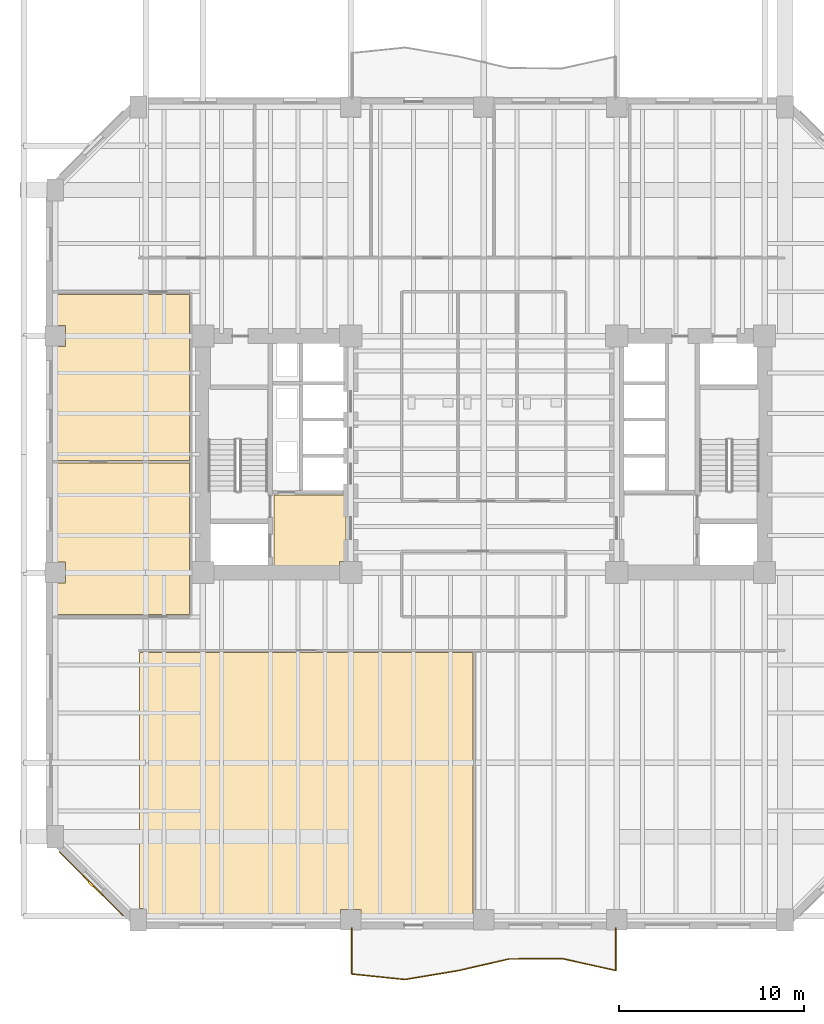
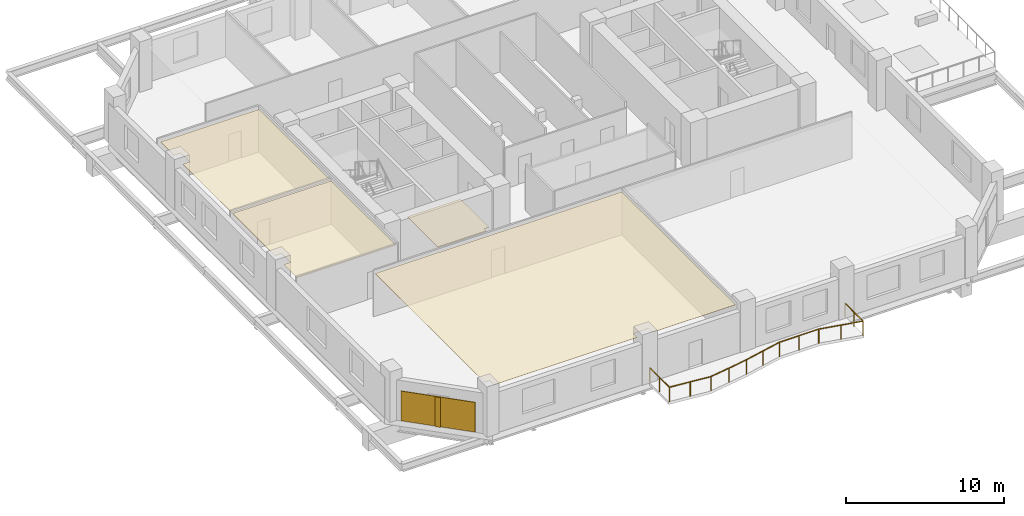
# One storey, part 7 of 11: 5 coverings, 1 railing, 1 shading device.
"""IFC4 building model written with IfcOpenShell, lengths in metres."""

from ifc_helpers import new_model, si_unit, direction, frame, origin, origin_2d, place, context, subcontext, project, spatial, polyline, rectangle, circle, outline, extrude, material, layer, layer_set, type_object, element, save


model = new_model("IFC4")

# Units and contexts
model_context = context("Model", 3, precision=1e-05, world=origin(), true_north=direction((0.0, 1.0)))
body_context = subcontext(model_context, "Body", "Model", "MODEL_VIEW")
ifc_project = project(units=[si_unit("LENGTHUNIT", "METRE"), si_unit("AREAUNIT", "SQUARE_METRE"), si_unit("VOLUMEUNIT", "CUBIC_METRE"), si_unit("PLANEANGLEUNIT", "RADIAN"), si_unit("MASSUNIT", "GRAM", prefix="KILO")], contexts=[model_context])

# Site, building, storey
site_placement = place(None, origin())
site = spatial("IfcSite", under=ifc_project, at=site_placement, CompositionType="ELEMENT")
building_placement = place(site_placement, origin())
building = spatial("IfcBuilding", under=site, at=building_placement, Name="Kranthara Brick Stack", CompositionType="ELEMENT")
storey_placement = place(building_placement, frame((0.0, 0.0, 24.300048828125)))
storey = spatial("IfcBuildingStorey", under=building, at=storey_placement, Name="L05", CompositionType="ELEMENT", Elevation=24.300048828125)

# Coverings
ifc_material_1 = material(Name="Perforated mineral-fibre acoustic ceiling tile", Category="other")
ifc_layer_1 = layer(ifc_material_1, 0.02490234375)
ifc_layer_set_1 = layer_set([ifc_layer_1], Name="Perforated mineral-fibre acoustic ceiling tile")
covering_type_1 = type_object("IfcCoveringType", Name="COV-CEIL-ACOUSTIC", PredefinedType="CEILING", material=ifc_layer_set_1)
covering_1_placement = place(storey_placement, frame((0.0, 0.0, 3.329833984375)))
element("IfcCovering", 1, at=covering_1_placement, inside=storey, type_object=covering_type_1, Name="L05 L05 Open Plan Workspace 1 Acoustic Ceiling", PredefinedType="CEILING", context=body_context, shape_type="SweptSolid", body=[
    extrude(outline(polyline([(27.419921875, 16.47998046875), (27.419921875, 2.070068359375), (21.360107421875, 2.070068359375), (21.360107421875, 2.56005859375), (20.239990234375, 2.56005859375), (20.239990234375, 2.070068359375), (9.760009765625, 2.070068359375), (9.760009765625, 2.610107421875), (9.3798828125, 2.610107421875), (9.3798828125, 16.47998046875), (27.419921875, 16.47998046875)])), origin(), (0.0, 0.0, 1.0), 0.025146484375),
])
covering_2_placement = place(storey_placement, frame((0.0, 0.0, 3.329833984375)))
element("IfcCovering", 2, at=covering_2_placement, inside=storey, type_object=covering_type_1, Name="L05 L05 West Executive Office 1 Acoustic Ceiling", PredefinedType="CEILING", context=body_context, shape_type="SweptSolid", body=[
    extrude(outline(polyline([(4.8701171875, 26.739990234375), (12.080078125, 26.739990234375), (12.080078125, 18.5400390625), (4.8701171875, 18.5400390625), (4.8701171875, 20.239990234375), (5.360107421875, 20.239990234375), (5.360107421875, 21.360107421875), (4.8701171875, 21.360107421875), (4.8701171875, 26.739990234375)])), origin(), (0.0, 0.0, 1.0), 0.025146484375),
])
covering_3_placement = place(storey_placement, frame((0.0, 0.0, 3.329833984375)))
element("IfcCovering", 3, at=covering_3_placement, inside=storey, type_object=covering_type_1, Name="L05 L05 West Executive Office 2 Acoustic Ceiling", PredefinedType="CEILING", context=body_context, shape_type="SweptSolid", body=[
    extrude(outline(polyline([(4.8701171875, 35.860107421875), (12.080078125, 35.860107421875), (12.080078125, 26.860107421875), (4.8701171875, 26.860107421875), (4.8701171875, 33.0400390625), (5.360107421875, 33.0400390625), (5.360107421875, 34.159912109375), (4.8701171875, 34.159912109375), (4.8701171875, 35.860107421875)])), origin(), (0.0, 0.0, 1.0), 0.025146484375),
])
ifc_material_2 = material(Name="Warm buff kiln-fired brick slip rainscreen", Category="masonry")
ifc_layer_2 = layer(ifc_material_2, 0.044921875)
ifc_layer_set_2 = layer_set([ifc_layer_2], Name="Warm buff kiln-fired brick slip rainscreen")
covering_type_2 = type_object("IfcCoveringType", Name="COV-CLAD-BRICK", PredefinedType="CLADDING", material=ifc_layer_set_2)
covering_4_placement = place(storey_placement, frame((6.756591796875, 3.95654296875, 0.0498046875), z_axis=(0.0, 0.0, 1.0), x_axis=(-0.707106781187, 0.707106781187, 0.0)))
element("IfcCovering", 4, at=covering_4_placement, inside=storey, type_object=covering_type_2, Name="L05 Chamfer Brick Rainscreen Cladding SW", PredefinedType="CLADDING", context=body_context, shape_type="SweptSolid", body=[
    extrude(rectangle(XDim=4.876953125, YDim=0.044921875, at=origin_2d()), origin(), (0.0, 0.0, 1.0), 2.300048828125),
])
ifc_material_3 = material(Name="Honed terrazzo and porcelain floor finish", Category="stone")
ifc_layer_3 = layer(ifc_material_3, 0.030029296875)
ifc_layer_set_3 = layer_set([ifc_layer_3], Name="Honed terrazzo and porcelain floor finish")
covering_type_3 = type_object("IfcCoveringType", Name="COV-FLOR-STONE", PredefinedType="FLOORING", material=ifc_layer_set_3)
covering_5_placement = place(storey_placement, origin())
element("IfcCovering", 5, at=covering_5_placement, inside=storey, type_object=covering_type_3, Name="L05 Lift Lobby Stone Flooring", PredefinedType="FLOORING", context=body_context, shape_type="SweptSolid", body=[
    extrude(outline(polyline([(16.64990234375, 21.14990234375), (16.64990234375, 25.0), (20.550048828125, 25.0), (20.550048828125, 21.409912109375), (20.18994140625, 21.409912109375), (20.18994140625, 21.14990234375), (16.64990234375, 21.14990234375)])), origin(), (0.0, 0.0, 1.0), 0.030029296875),
])

# Railing
ifc_material_4 = material(Name="Bronze anodised aluminium and laminated glass balustrade", Category="aluminium")
railing_type = type_object("IfcRailingType", Name="RL-BALC-1120", PredefinedType="BALUSTRADE", material=ifc_material_4)
railing_placement = place(storey_placement, frame((35.139892578125, 1.56005859375, 0.0)))
element("IfcRailing", 6, at=railing_placement, inside=storey, type_object=railing_type, Name="L05 South Rippling Balcony Balustrade", PredefinedType="BALUSTRADE", context=body_context, shape_type="SweptSolid", body=[
    extrude(circle(Radius=0.02392578125, at=origin_2d()), frame((0.0, 0.0, 1.09619140625), z_axis=(0.000106168382, -0.999999994364, 0.0), x_axis=(0.999999994364, 0.000106168382, 0.0)), (0.0, 0.0, 1.0), 2.299560546875),
    extrude(circle(Radius=0.02392578125, at=origin_2d()), frame((0.000244140625, -2.299560546875, 1.09619140625), z_axis=(-0.976231823115, 0.2167289264, 0.0), x_axis=(-0.2167289264, -0.976231823115, 0.0)), (0.0, 0.0, 1.0), 2.9501953125),
    extrude(circle(Radius=0.02392578125, at=origin_2d()), frame((-2.8798828125, -1.66015625, 1.09619140625), z_axis=(-0.99998618976, -0.00525550087, 0.0), x_axis=(0.00525550087, -0.99998618976, 0.0)), (0.0, 0.0, 1.0), 2.880126953125),
    extrude(circle(Radius=0.02392578125, at=origin_2d()), frame((-5.760009765625, -1.67529296875, 1.09619140625), z_axis=(-0.974896418621, -0.222658871279, 0.0), x_axis=(0.222658871279, -0.974896418621, 0.0)), (0.0, 0.0, 1.0), 2.836669921875),
    extrude(circle(Radius=0.02392578125, at=origin_2d()), frame((-8.525390625, -2.306884765625, 1.09619140625), z_axis=(-0.986266935249, -0.165159112481, 0.0), x_axis=(0.165159112481, -0.986266935249, 0.0)), (0.0, 0.0, 1.0), 2.91650390625),
    extrude(circle(Radius=0.02392578125, at=origin_2d()), frame((-11.40185546875, -2.78857421875, 1.09619140625), z_axis=(-0.994688815746, 0.102927935132, 0.0), x_axis=(-0.102927935132, -0.994688815746, 0.0)), (0.0, 0.0, 1.0), 2.893798828125),
    extrude(circle(Radius=0.02392578125, at=origin_2d()), frame((-14.2802734375, -2.49072265625, 1.09619140625), z_axis=(0.000196039988, 0.999999980784, 0.0), x_axis=(-0.999999980784, 0.000196039988, 0.0)), (0.0, 0.0, 1.0), 2.49072265625),
    extrude(circle(Radius=0.02099609375, at=origin_2d()), origin(), (0.0, 0.0, 1.0), 1.072021484375),
    extrude(circle(Radius=0.02099609375, at=origin_2d()), frame((0.0, -1.14990234375, 0.0)), (0.0, 0.0, 1.0), 1.072021484375),
    extrude(circle(Radius=0.02099609375, at=origin_2d()), frame((0.000244140625, -2.299560546875, 0.0)), (0.0, 0.0, 1.0), 1.072021484375),
    extrude(circle(Radius=0.02099609375, at=origin_2d()), frame((-1.43994140625, -1.97998046875, 0.0)), (0.0, 0.0, 1.0), 1.072021484375),
    extrude(circle(Radius=0.02099609375, at=origin_2d()), frame((-2.8798828125, -1.66015625, 0.0)), (0.0, 0.0, 1.0), 1.072021484375),
    extrude(circle(Radius=0.02099609375, at=origin_2d()), frame((-4.31982421875, -1.667724609375, 0.0)), (0.0, 0.0, 1.0), 1.072021484375),
    extrude(circle(Radius=0.02099609375, at=origin_2d()), frame((-5.760009765625, -1.67529296875, 0.0)), (0.0, 0.0, 1.0), 1.072021484375),
    extrude(circle(Radius=0.02099609375, at=origin_2d()), frame((-7.142578125, -1.9912109375, 0.0)), (0.0, 0.0, 1.0), 1.072021484375),
    extrude(circle(Radius=0.02099609375, at=origin_2d()), frame((-8.525390625, -2.306884765625, 0.0)), (0.0, 0.0, 1.0), 1.072021484375),
    extrude(circle(Radius=0.02099609375, at=origin_2d()), frame((-9.963623046875, -2.5478515625, 0.0)), (0.0, 0.0, 1.0), 1.072021484375),
    extrude(circle(Radius=0.02099609375, at=origin_2d()), frame((-11.40185546875, -2.78857421875, 0.0)), (0.0, 0.0, 1.0), 1.072021484375),
    extrude(circle(Radius=0.02099609375, at=origin_2d()), frame((-12.841064453125, -2.6396484375, 0.0)), (0.0, 0.0, 1.0), 1.072021484375),
    extrude(circle(Radius=0.02099609375, at=origin_2d()), frame((-14.2802734375, -2.49072265625, 0.0)), (0.0, 0.0, 1.0), 1.072021484375),
    extrude(circle(Radius=0.02099609375, at=origin_2d()), frame((-14.280029296875, -1.245361328125, 0.0)), (0.0, 0.0, 1.0), 1.072021484375),
    extrude(circle(Radius=0.02099609375, at=origin_2d()), frame((-14.27978515625, 0.0, 0.0)), (0.0, 0.0, 1.0), 1.072021484375),
])

# Shading device
ifc_material_5 = material(Name="Kiln-fired terracotta aerodynamic wind fin", Category="masonry")
shading_device_type = type_object("IfcShadingDeviceType", Name="SHD-BAFFLE-CORNER", PredefinedType="SHUTTER", material=ifc_material_5)
shading_device_placement = place(storey_placement, frame((6.7353515625, 3.935302734375, 0.0498046875), z_axis=(0.0, 0.0, 1.0), x_axis=(-0.707106781187, 0.707106781187, 0.0)))
element("IfcShadingDevice", 7, at=shading_device_placement, inside=storey, type_object=shading_device_type, Name="L05 Chamfer Wind-Baffle Fin SW", PredefinedType="SHUTTER", context=body_context, shape_type="SweptSolid", body=[
    extrude(rectangle(XDim=0.35009765625, YDim=0.1201171875, at=origin_2d()), origin(), (0.0, 0.0, 1.0), 2.300048828125),
])

save(model, "model.ifc")
